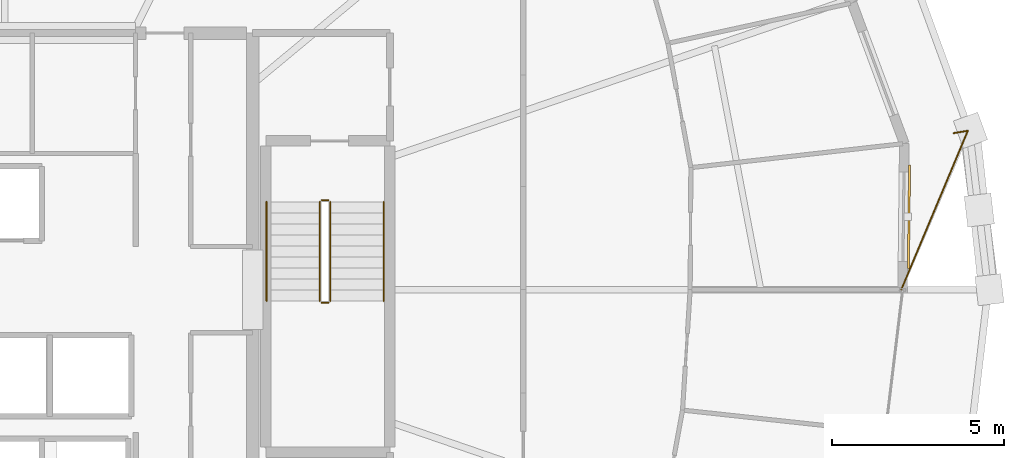
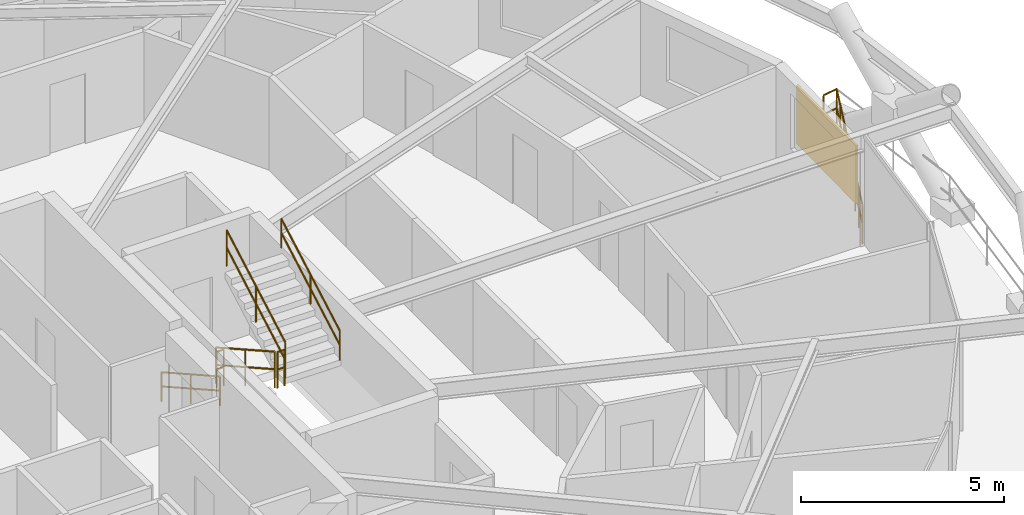
# One storey, part 21 of 21: 7 railings, 1 shading device.
"""IFC4 building model written with IfcOpenShell, lengths in metres."""

import ifcopenshell
import ifcopenshell.guid

model = None  # the IFC model being written
_history = None  # IfcOwnerHistory: only IFC2X3 demands one
_inside = {}  # id of a spatial element -> (the spatial element, [elements in it])
_under = {}  # id of a project, library or spatial element -> (it, [spatial elements below it])
_declared = {}  # id of a project -> (the project, [libraries it declares])
_typed = {}  # id of a type object -> (the type object, [elements of that type])
_made_of = {}  # id of a material, layer set ... -> (it, [elements and type objects made of it])


def new_model(schema):
    """Start an empty IFC model of exactly this schema.

    Asked for "IFC4X3", IfcOpenShell would pick the latest addendum, in which some entities
    have other attributes; the version numbers below select the first issue.
    IFC2X3 requires an IfcOwnerHistory on every rooted entity: one is made here for all.
    """
    global model, _history
    if schema == "IFC4X3":
        model = ifcopenshell.file(schema_version=(4, 3, 0, 0))
    else:
        model = ifcopenshell.file(schema=schema)
    _inside.clear()
    _under.clear()
    _declared.clear()
    _typed.clear()
    _made_of.clear()
    _history = None
    if model.schema == "IFC2X3":
        org = make("IfcOrganization", Name="unknown")
        user = make(
            "IfcPersonAndOrganization",
            ThePerson=make("IfcPerson", FamilyName="unknown"),
            TheOrganization=org,
        )
        app = make(
            "IfcApplication",
            ApplicationDeveloper=org,
            Version="unknown",
            ApplicationFullName="unknown",
            ApplicationIdentifier="unknown",
        )
        _history = make(
            "IfcOwnerHistory",
            OwningUser=user,
            OwningApplication=app,
            ChangeAction="ADDED",
            CreationDate=0,
        )
    return model


def make(cls, **values):
    """One entity of the class cls with the attributes given. An attribute that is None is left unset."""
    return model.create_entity(
        cls, **{name: value for name, value in values.items() if value is not None}
    )


def rooted(cls, **values):
    """An entity with a GlobalId (a new one), such as an element, a storey or a relation."""
    return make(cls, GlobalId=ifcopenshell.guid.new(), OwnerHistory=_history, **values)


def si_unit(unit_type, name, prefix=None):
    """IfcSIUnit, for example si_unit("LENGTHUNIT", "METRE", prefix="MILLI")."""
    return make("IfcSIUnit", UnitType=unit_type, Prefix=prefix, Name=name)


def assignment(units):
    """IfcUnitAssignment: the units of a project."""
    return None if units is None else make("IfcUnitAssignment", Units=units)


def point(xyz):
    """IfcCartesianPoint."""
    return None if xyz is None else make("IfcCartesianPoint", Coordinates=xyz)


def direction(xyz):
    """IfcDirection."""
    return None if xyz is None else make("IfcDirection", DirectionRatios=xyz)


def frame(location, z_axis=None, x_axis=None):
    """IfcAxis2Placement3D, a coordinate frame: its origin and axes. An axis left out is left unset."""
    return make(
        "IfcAxis2Placement3D",
        Location=point(location),
        Axis=direction(z_axis),
        RefDirection=direction(x_axis),
    )


def frame_2d(location, x_axis=None):
    """IfcAxis2Placement2D, a coordinate frame in the plane: its origin and x axis."""
    return make(
        "IfcAxis2Placement2D", Location=point(location), RefDirection=direction(x_axis)
    )


def origin():
    """The frame at (0, 0, 0) with its axes left unset."""
    return frame((0.0, 0.0, 0.0))


def origin_2d():
    """The frame at (0, 0) in the plane with its x axis left unset."""
    return frame_2d((0.0, 0.0))


def place(relative_to, where):
    """IfcLocalPlacement: puts the frame where relative to a parent placement (None: the world)."""
    return make(
        "IfcLocalPlacement", PlacementRelTo=relative_to, RelativePlacement=where
    )


def context(
    kind, dimensions, precision=None, world=None, true_north=None, identifier=None
):
    """IfcGeometricRepresentationContext, for example the 3D "Model" context."""
    return make(
        "IfcGeometricRepresentationContext",
        ContextIdentifier=identifier,
        ContextType=kind,
        CoordinateSpaceDimension=dimensions,
        Precision=precision,
        WorldCoordinateSystem=world,
        TrueNorth=true_north,
    )


def subcontext(parent, identifier, kind, view, scale=None):
    """IfcGeometricRepresentationSubContext, for example "Body" below "Model"."""
    return make(
        "IfcGeometricRepresentationSubContext",
        ContextIdentifier=identifier,
        ContextType=kind,
        ParentContext=parent,
        TargetScale=scale,
        TargetView=view,
    )


def project(units=None, contexts=None):
    """IfcProject with its units and contexts."""
    return rooted(
        "IfcProject",
        Name="project",
        RepresentationContexts=contexts,
        UnitsInContext=assignment(units),
    )


def spatial(cls, under=None, at=None, **own):
    """A site, building, storey or space (cls), placed at a placement, below another one or the project."""
    s = rooted(cls, ObjectPlacement=at, **own)
    if under is not None:
        _under.setdefault(under.id(), (under, []))[1].append(s)
    return s


def profile(cls, at=None, kind="AREA", **sizes):
    """A parametric profile (cls). Its sizes go by their IFC names, for example OverallWidth=200.0."""
    return make(cls, ProfileType=kind, Position=at, **sizes)


def rectangle(**sizes):
    """IfcRectangleProfileDef."""
    return profile("IfcRectangleProfileDef", **sizes)


def circle(**sizes):
    """IfcCircleProfileDef."""
    return profile("IfcCircleProfileDef", **sizes)


def extrude(swept, where, along, depth):
    """IfcExtrudedAreaSolid: the profile swept, set in the frame where, extruded along a direction by depth."""
    return make(
        "IfcExtrudedAreaSolid",
        SweptArea=swept,
        Position=where,
        ExtrudedDirection=direction(along),
        Depth=depth,
    )


def shape(context_of_items, identifier, shape_type, items):
    """IfcShapeRepresentation: the items that make up one representation, for example the "Body"."""
    return make(
        "IfcShapeRepresentation",
        ContextOfItems=context_of_items,
        RepresentationIdentifier=identifier,
        RepresentationType=shape_type,
        Items=items,
    )


def material(Name=None, Category=None):
    """IfcMaterial."""
    return make("IfcMaterial", Name=Name, Category=Category)


def layer(
    of_material, thickness, ventilated=None, Name=None, Category=None, Priority=None
):
    """IfcMaterialLayer: one layer of a wall or slab, of a material (None: an air gap)."""
    return make(
        "IfcMaterialLayer",
        Material=of_material,
        LayerThickness=thickness,
        IsVentilated=ventilated,
        Name=Name,
        Category=Category,
        Priority=Priority,
    )


def layer_set(layers, Name=None):
    """IfcMaterialLayerSet."""
    return make("IfcMaterialLayerSet", MaterialLayers=layers, LayerSetName=Name)


def made_of(thing, what):
    """Note that an element or type object is made of a material, layer set ...; save() writes the relation."""
    if what is not None:
        _made_of.setdefault(what.id(), (what, []))[1].append(thing)
    return thing


def type_object(cls, material=None, **own):
    """A type object (cls), such as IfcWallType, which elements share."""
    return made_of(rooted(cls, **own), material)


def element(
    cls,
    number,
    at=None,
    inside=None,
    cuts=None,
    type_object=None,
    material=None,
    context=None,
    identifier="Body",
    shape_type=None,
    held_by="IfcProductDefinitionShape",
    body=None,
    shapes=None,
    **own,
):
    """One element of the class cls, such as IfcWall. Its Tag is "e" and its number.

    at: its placement. inside: the storey or other place that contains it. cuts: it is an
    opening in that element (IfcRelVoidsElement). A single representation is given by context,
    identifier, shape_type and body (its items); several are given by shapes. held_by: the class
    of the entity that holds the representations. save() writes the other relations.
    """
    e = rooted(cls, Tag="e%d" % number, ObjectPlacement=at, **own)
    if body is not None:
        shapes = [shape(context, identifier, shape_type, body)]
    if shapes is not None:
        e.Representation = make(held_by, Representations=shapes)
    if inside is not None:
        _inside.setdefault(inside.id(), (inside, []))[1].append(e)
    if cuts is not None:
        rooted(
            "IfcRelVoidsElement", RelatingBuildingElement=cuts, RelatedOpeningElement=e
        )
    if type_object is not None:
        _typed.setdefault(type_object.id(), (type_object, []))[1].append(e)
    return made_of(e, material)


def aggregate(whole, parts):
    """IfcRelAggregates: a whole, such as a stair, and the parts it consists of."""
    return rooted("IfcRelAggregates", RelatingObject=whole, RelatedObjects=parts)


def save(model, path):
    """Write the relations noted so far, then the file.

    IfcRelAggregates (storeys below a building ...), IfcRelContainedInSpatialStructure (elements
    in a storey), IfcRelDefinesByType, IfcRelAssociatesMaterial and IfcRelDeclares: one each for
    every whole, place, type object, material and project.
    """
    for whole, parts in _under.values():
        aggregate(whole, parts)
    for where, things in _inside.values():
        rooted(
            "IfcRelContainedInSpatialStructure",
            RelatedElements=things,
            RelatingStructure=where,
        )
    for kind, things in _typed.values():
        rooted("IfcRelDefinesByType", RelatedObjects=things, RelatingType=kind)
    for what, things in _made_of.values():
        rooted("IfcRelAssociatesMaterial", RelatedObjects=things, RelatingMaterial=what)
    for by, libraries in _declared.values():
        rooted("IfcRelDeclares", RelatingContext=by, RelatedDefinitions=libraries)
    model.write(path)


model = new_model("IFC4")

# Units and contexts
model_context = context("Model", 3, precision=1e-05, world=origin(), true_north=direction((0.0, 1.0)))
body_context = subcontext(model_context, "Body", "Model", "MODEL_VIEW")
ifc_project = project(units=[si_unit("LENGTHUNIT", "METRE"), si_unit("AREAUNIT", "SQUARE_METRE"), si_unit("VOLUMEUNIT", "CUBIC_METRE"), si_unit("PLANEANGLEUNIT", "RADIAN"), si_unit("MASSUNIT", "GRAM", prefix="KILO")], contexts=[model_context])

# Site, building, storey
site_placement = place(None, origin())
site = spatial("IfcSite", under=ifc_project, at=site_placement, CompositionType="ELEMENT")
building_placement = place(site_placement, origin())
building = spatial("IfcBuilding", under=site, at=building_placement, Name="Veldorina Hangang Commons", CompositionType="ELEMENT")
storey_placement = place(building_placement, frame((0.0, 0.0, 128.0)))
storey = spatial("IfcBuildingStorey", under=building, at=storey_placement, Name="L32", CompositionType="ELEMENT", Elevation=128.0)

# Railings
ifc_material_1 = material(Name="Glass Laminated Safety Balustrade", Category="glass")
railing_type_1 = type_object("IfcRailingType", Name="RL-BAL-LOGGIA", PredefinedType="BALUSTRADE", material=ifc_material_1)
railing_1_placement = place(storey_placement, frame((59.54296875, 28.544189453125, 0.0)))
element("IfcRailing", 1, at=railing_1_placement, inside=storey, type_object=railing_type_1, Name="L32 sky-garden loggia end balustrade B", PredefinedType="BALUSTRADE", context=body_context, shape_type="SweptSolid", body=[
    extrude(circle(Radius=0.02392578125, at=origin_2d()), frame((0.0, 0.0, 1.17578125), z_axis=(0.986659757818, 0.162795952969, 0.0), x_axis=(-0.162795952969, 0.986659757818, 0.0)), (0.0, 0.0, 1.0), 0.419921875),
    extrude(circle(Radius=0.02392578125, at=origin_2d()), frame((0.0, 0.0, 0.60009765625), z_axis=(0.986659757818, 0.162795952969, 0.0), x_axis=(-0.162795952969, 0.986659757818, 0.0)), (0.0, 0.0, 1.0), 0.419921875),
    extrude(circle(Radius=0.02392578125, at=origin_2d()), frame((0.414306640625, 0.068359375, 1.17578125), z_axis=(-0.386316804885, -0.922366156287, 0.0), x_axis=(0.922366156287, -0.386316804885, 0.0)), (0.0, 0.0, 1.0), 5.000732421875),
    extrude(circle(Radius=0.02392578125, at=origin_2d()), frame((0.414306640625, 0.068359375, 0.60009765625), z_axis=(-0.386316804885, -0.922366156287, 0.0), x_axis=(0.922366156287, -0.386316804885, 0.0)), (0.0, 0.0, 1.0), 5.000732421875),
    extrude(circle(Radius=0.02099609375, at=origin_2d()), origin(), (0.0, 0.0, 1.0), 1.15185546875),
    extrude(circle(Radius=0.02099609375, at=origin_2d()), frame((0.414306640625, 0.068359375, 0.0)), (0.0, 0.0, 1.0), 1.15185546875),
    extrude(circle(Radius=0.02099609375, at=origin_2d()), frame((0.138427734375, -0.590576171875, 0.0)), (0.0, 0.0, 1.0), 1.15185546875),
    extrude(circle(Radius=0.02099609375, at=origin_2d()), frame((-0.1376953125, -1.24951171875, 0.0)), (0.0, 0.0, 1.0), 1.15185546875),
    extrude(circle(Radius=0.02099609375, at=origin_2d()), frame((-0.41357421875, -1.908447265625, 0.0)), (0.0, 0.0, 1.0), 1.15185546875),
    extrude(circle(Radius=0.02099609375, at=origin_2d()), frame((-0.689697265625, -2.5673828125, 0.0)), (0.0, 0.0, 1.0), 1.15185546875),
    extrude(circle(Radius=0.02099609375, at=origin_2d()), frame((-0.965576171875, -3.226318359375, 0.0)), (0.0, 0.0, 1.0), 1.15185546875),
    extrude(circle(Radius=0.02099609375, at=origin_2d()), frame((-1.24169921875, -3.88525390625, 0.0)), (0.0, 0.0, 1.0), 1.15185546875),
    extrude(circle(Radius=0.02099609375, at=origin_2d()), frame((-1.517578125, -4.544189453125, 0.0)), (0.0, 0.0, 1.0), 1.15185546875),
])
ifc_material_2 = material(Name="Steel Painted Balustrade", Category="steel")
railing_type_2 = type_object("IfcRailingType", Name="RL-GRD-STAIR", PredefinedType="GUARDRAIL", material=ifc_material_2)
railing_2_placement = place(storey_placement, frame((41.14990234375, 26.550048828125, 0.179931640625)))
element("IfcRailing", 2, at=railing_2_placement, inside=storey, type_object=railing_type_2, Name="L32 ST-2 stair guard 1", PredefinedType="GUARDRAIL", context=body_context, shape_type="SweptSolid", body=[
    extrude(circle(Radius=0.02392578125, at=origin_2d()), frame((0.0, 0.0, 1.076171875), z_axis=(0.0, -0.871569617843, 0.490271762652), x_axis=(1.0, 0.0, 0.0)), (0.0, 0.0, 1.0), 3.304443359375),
    extrude(circle(Radius=0.02392578125, at=origin_2d()), frame((0.0, 0.0, 0.550048828125), z_axis=(0.0, -0.871569617843, 0.490271762652), x_axis=(1.0, 0.0, 0.0)), (0.0, 0.0, 1.0), 3.304443359375),
    extrude(circle(Radius=0.02099609375, at=origin_2d()), origin(), (0.0, 0.0, 1.0), 1.052001953125),
    extrude(circle(Radius=0.02099609375, at=origin_2d()), frame((0.0, -1.43994140625, 0.81005859375)), (0.0, 0.0, 1.0), 1.052001953125),
    extrude(circle(Radius=0.02099609375, at=origin_2d()), frame((0.0, -2.880126953125, 1.6201171875)), (0.0, 0.0, 1.0), 1.052001953125),
])
railing_3_placement = place(storey_placement, frame((41.199951171875, 23.6201171875, 1.800048828125)))
element("IfcRailing", 3, at=railing_3_placement, inside=storey, type_object=railing_type_2, Name="L32 ST-2 stair guard 2", PredefinedType="GUARDRAIL", context=body_context, shape_type="SweptSolid", body=[
    extrude(circle(Radius=0.02392578125, at=origin_2d()), frame((0.0, 0.0, 1.076171875), z_axis=(1.0, 0.0, 0.0), x_axis=(0.0, 1.0, 0.0)), (0.0, 0.0, 1.0), 0.199951171875),
    extrude(circle(Radius=0.02392578125, at=origin_2d()), frame((0.0, 0.0, 0.550048828125), z_axis=(1.0, 0.0, 0.0), x_axis=(0.0, 1.0, 0.0)), (0.0, 0.0, 1.0), 0.199951171875),
    extrude(circle(Radius=0.02099609375, at=origin_2d()), origin(), (0.0, 0.0, 1.0), 1.052001953125),
    extrude(circle(Radius=0.02099609375, at=origin_2d()), frame((0.199951171875, 0.0, 0.0)), (0.0, 0.0, 1.0), 1.052001953125),
])
railing_4_placement = place(storey_placement, frame((41.449951171875, 23.669921875, 1.97998046875)))
element("IfcRailing", 4, at=railing_4_placement, inside=storey, type_object=railing_type_2, Name="L32 ST-2 stair guard 3", PredefinedType="GUARDRAIL", context=body_context, shape_type="SweptSolid", body=[
    extrude(circle(Radius=0.02392578125, at=origin_2d()), frame((0.0, 0.0, 1.076171875), z_axis=(0.0, 0.871569617843, 0.490271762652), x_axis=(-1.0, 0.0, 0.0)), (0.0, 0.0, 1.0), 3.304443359375),
    extrude(circle(Radius=0.02392578125, at=origin_2d()), frame((0.0, 0.0, 0.550048828125), z_axis=(0.0, 0.871569617843, 0.490271762652), x_axis=(-1.0, 0.0, 0.0)), (0.0, 0.0, 1.0), 3.304443359375),
    extrude(circle(Radius=0.02099609375, at=origin_2d()), origin(), (0.0, 0.0, 1.0), 1.052001953125),
    extrude(circle(Radius=0.02099609375, at=origin_2d()), frame((0.0, 1.43994140625, 0.81005859375)), (0.0, 0.0, 1.0), 1.052001953125),
    extrude(circle(Radius=0.02099609375, at=origin_2d()), frame((0.0, 2.880126953125, 1.6201171875)), (0.0, 0.0, 1.0), 1.052001953125),
])
railing_5_placement = place(storey_placement, frame((41.199951171875, 26.60009765625, 0.0)))
element("IfcRailing", 5, at=railing_5_placement, inside=storey, type_object=railing_type_2, Name="L32 ST-2 stair guard 4", PredefinedType="GUARDRAIL", context=body_context, shape_type="SweptSolid", body=[
    extrude(circle(Radius=0.02392578125, at=origin_2d()), frame((0.0, 0.0, 1.076171875), z_axis=(1.0, 0.0, 0.0), x_axis=(0.0, 1.0, 0.0)), (0.0, 0.0, 1.0), 0.199951171875),
    extrude(circle(Radius=0.02392578125, at=origin_2d()), frame((0.0, 0.0, 0.550048828125), z_axis=(1.0, 0.0, 0.0), x_axis=(0.0, 1.0, 0.0)), (0.0, 0.0, 1.0), 0.199951171875),
    extrude(circle(Radius=0.02099609375, at=origin_2d()), origin(), (0.0, 0.0, 1.0), 1.052001953125),
    extrude(circle(Radius=0.02099609375, at=origin_2d()), frame((0.199951171875, 0.0, 0.0)), (0.0, 0.0, 1.0), 1.052001953125),
])
ifc_material_3 = material(Name="Stainless Steel Brushed 316", Category="steel")
railing_type_3 = type_object("IfcRailingType", Name="RL-HND-STAIR", PredefinedType="HANDRAIL", material=ifc_material_3)
railing_6_placement = place(storey_placement, frame((39.60009765625, 26.550048828125, 0.179931640625)))
element("IfcRailing", 6, at=railing_6_placement, inside=storey, type_object=railing_type_3, Name="L32 ST-2 stair handrail 1", PredefinedType="HANDRAIL", context=body_context, shape_type="SweptSolid", body=[
    extrude(circle(Radius=0.02392578125, at=origin_2d()), frame((0.0, 0.0, 0.8759765625), z_axis=(0.0, -0.871569617843, 0.490271762652), x_axis=(1.0, 0.0, 0.0)), (0.0, 0.0, 1.0), 3.304443359375),
    extrude(circle(Radius=0.02392578125, at=origin_2d()), frame((0.0, 0.0, 0.449951171875), z_axis=(0.0, -0.871569617843, 0.490271762652), x_axis=(1.0, 0.0, 0.0)), (0.0, 0.0, 1.0), 3.304443359375),
    extrude(circle(Radius=0.02099609375, at=origin_2d()), origin(), (0.0, 0.0, 1.0), 0.851806640625),
    extrude(circle(Radius=0.02099609375, at=origin_2d()), frame((0.0, -1.43994140625, 0.81005859375)), (0.0, 0.0, 1.0), 0.851806640625),
    extrude(circle(Radius=0.02099609375, at=origin_2d()), frame((0.0, -2.880126953125, 1.6201171875)), (0.0, 0.0, 1.0), 0.851806640625),
])
railing_7_placement = place(storey_placement, frame((43.0, 23.669921875, 1.97998046875)))
element("IfcRailing", 7, at=railing_7_placement, inside=storey, type_object=railing_type_3, Name="L32 ST-2 stair handrail 2", PredefinedType="HANDRAIL", context=body_context, shape_type="SweptSolid", body=[
    extrude(circle(Radius=0.02392578125, at=origin_2d()), frame((0.0, 0.0, 0.8759765625), z_axis=(0.0, 0.871569617843, 0.490271762652), x_axis=(-1.0, 0.0, 0.0)), (0.0, 0.0, 1.0), 3.304443359375),
    extrude(circle(Radius=0.02392578125, at=origin_2d()), frame((0.0, 0.0, 0.449951171875), z_axis=(0.0, 0.871569617843, 0.490271762652), x_axis=(-1.0, 0.0, 0.0)), (0.0, 0.0, 1.0), 3.304443359375),
    extrude(circle(Radius=0.02099609375, at=origin_2d()), origin(), (0.0, 0.0, 1.0), 0.851806640625),
    extrude(circle(Radius=0.02099609375, at=origin_2d()), frame((0.0, 1.43994140625, 0.81005859375)), (0.0, 0.0, 1.0), 0.851806640625),
    extrude(circle(Radius=0.02099609375, at=origin_2d()), frame((0.0, 2.880126953125, 1.6201171875)), (0.0, 0.0, 1.0), 0.851806640625),
])

# Shading device
ifc_material_4 = material(Name="Ceramic Glazed Terracotta", Category="masonry")
ifc_layer = layer(ifc_material_4, 0.06005859375)
ifc_layer_set = layer_set([ifc_layer], Name="Ceramic Glazed Terracotta")
shading_device_type = type_object("IfcShadingDeviceType", Name="SCR-CER-3000", PredefinedType="USERDEFINED", material=ifc_layer_set)
shading_device_placement = place(storey_placement, frame((58.249755859375, 26.119873046875, 0.75), z_axis=(0.0, 0.0, 1.0), x_axis=(0.011414205445, 0.999934855835, 0.0)))
element("IfcShadingDevice", 8, at=shading_device_placement, inside=storey, type_object=shading_device_type, Name="L32 PERFORATED CERAMIC SOLAR SCREEN 00", ObjectType="SCREEN", PredefinedType="USERDEFINED", context=body_context, shape_type="SweptSolid", body=[
    extrude(rectangle(XDim=3.0, YDim=0.06005859375, at=origin_2d()), origin(), (0.0, 0.0, 1.0), 1.75),
])

save(model, "model.ifc")
